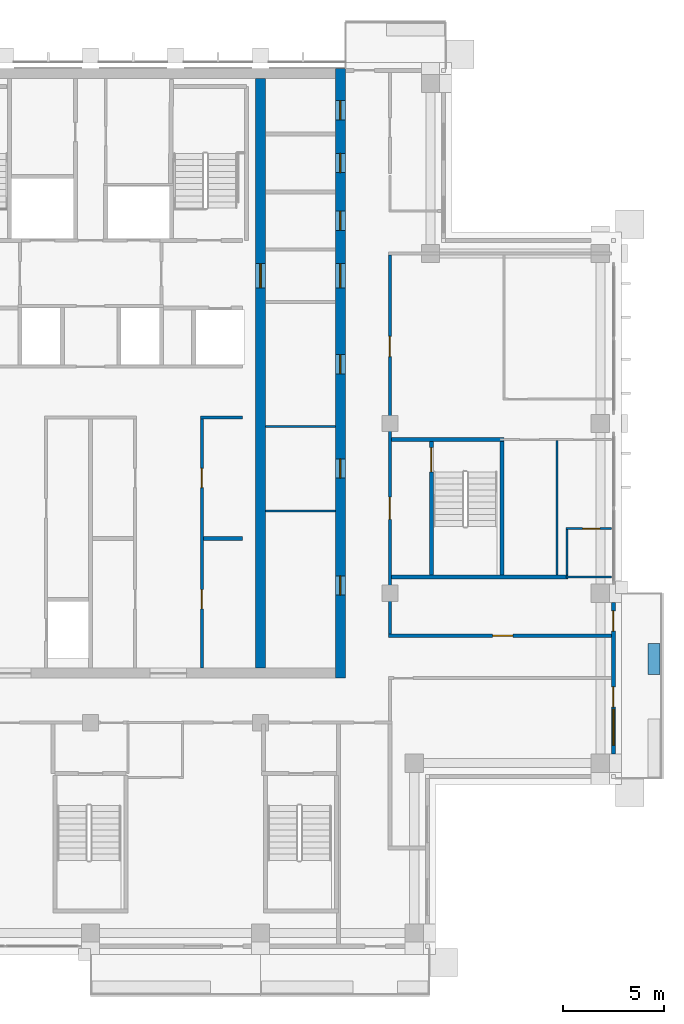
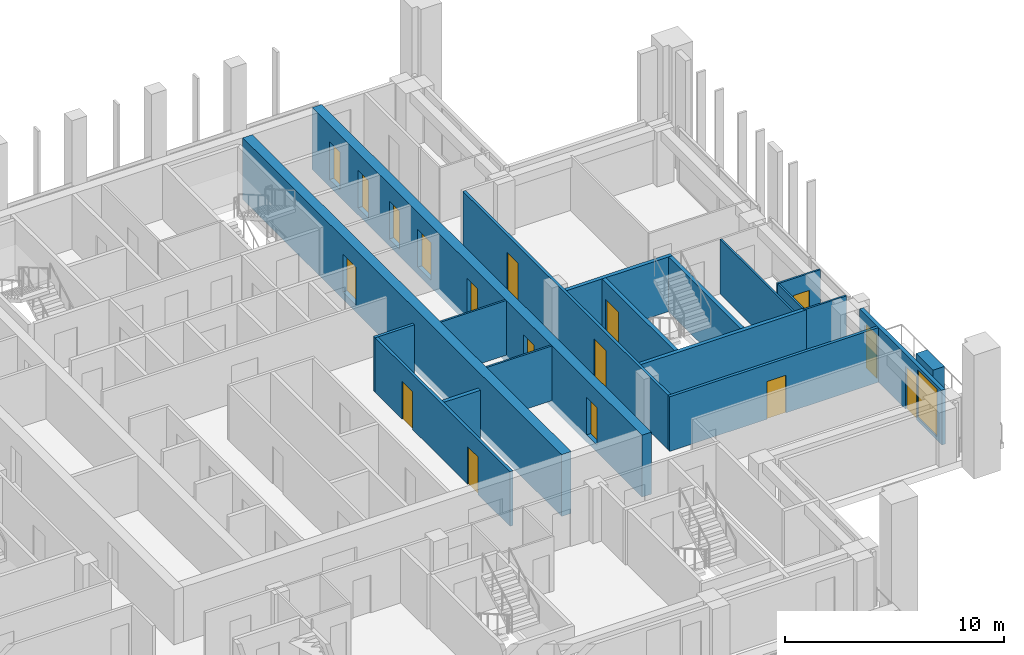
# One storey, part 11 of 18: 19 walls, 17 doors, 1 window, 18 openings.
"""IFC4 building model written with IfcOpenShell, lengths in metres."""

import ifcopenshell
import ifcopenshell.guid

model = None  # the IFC model being written
_history = None  # IfcOwnerHistory: only IFC2X3 demands one
_inside = {}  # id of a spatial element -> (the spatial element, [elements in it])
_under = {}  # id of a project, library or spatial element -> (it, [spatial elements below it])
_declared = {}  # id of a project -> (the project, [libraries it declares])
_typed = {}  # id of a type object -> (the type object, [elements of that type])
_made_of = {}  # id of a material, layer set ... -> (it, [elements and type objects made of it])


def new_model(schema):
    """Start an empty IFC model of exactly this schema.

    Asked for "IFC4X3", IfcOpenShell would pick the latest addendum, in which some entities
    have other attributes; the version numbers below select the first issue.
    IFC2X3 requires an IfcOwnerHistory on every rooted entity: one is made here for all.
    """
    global model, _history
    if schema == "IFC4X3":
        model = ifcopenshell.file(schema_version=(4, 3, 0, 0))
    else:
        model = ifcopenshell.file(schema=schema)
    _inside.clear()
    _under.clear()
    _declared.clear()
    _typed.clear()
    _made_of.clear()
    _history = None
    if model.schema == "IFC2X3":
        org = make("IfcOrganization", Name="unknown")
        user = make(
            "IfcPersonAndOrganization",
            ThePerson=make("IfcPerson", FamilyName="unknown"),
            TheOrganization=org,
        )
        app = make(
            "IfcApplication",
            ApplicationDeveloper=org,
            Version="unknown",
            ApplicationFullName="unknown",
            ApplicationIdentifier="unknown",
        )
        _history = make(
            "IfcOwnerHistory",
            OwningUser=user,
            OwningApplication=app,
            ChangeAction="ADDED",
            CreationDate=0,
        )
    return model


def make(cls, **values):
    """One entity of the class cls with the attributes given. An attribute that is None is left unset."""
    return model.create_entity(
        cls, **{name: value for name, value in values.items() if value is not None}
    )


def rooted(cls, **values):
    """An entity with a GlobalId (a new one), such as an element, a storey or a relation."""
    return make(cls, GlobalId=ifcopenshell.guid.new(), OwnerHistory=_history, **values)


def si_unit(unit_type, name, prefix=None):
    """IfcSIUnit, for example si_unit("LENGTHUNIT", "METRE", prefix="MILLI")."""
    return make("IfcSIUnit", UnitType=unit_type, Prefix=prefix, Name=name)


def assignment(units):
    """IfcUnitAssignment: the units of a project."""
    return None if units is None else make("IfcUnitAssignment", Units=units)


def point(xyz):
    """IfcCartesianPoint."""
    return None if xyz is None else make("IfcCartesianPoint", Coordinates=xyz)


def direction(xyz):
    """IfcDirection."""
    return None if xyz is None else make("IfcDirection", DirectionRatios=xyz)


def frame(location, z_axis=None, x_axis=None):
    """IfcAxis2Placement3D, a coordinate frame: its origin and axes. An axis left out is left unset."""
    return make(
        "IfcAxis2Placement3D",
        Location=point(location),
        Axis=direction(z_axis),
        RefDirection=direction(x_axis),
    )


def frame_2d(location, x_axis=None):
    """IfcAxis2Placement2D, a coordinate frame in the plane: its origin and x axis."""
    return make(
        "IfcAxis2Placement2D", Location=point(location), RefDirection=direction(x_axis)
    )


def origin():
    """The frame at (0, 0, 0) with its axes left unset."""
    return frame((0.0, 0.0, 0.0))


def place(relative_to, where):
    """IfcLocalPlacement: puts the frame where relative to a parent placement (None: the world)."""
    return make(
        "IfcLocalPlacement", PlacementRelTo=relative_to, RelativePlacement=where
    )


def context(
    kind, dimensions, precision=None, world=None, true_north=None, identifier=None
):
    """IfcGeometricRepresentationContext, for example the 3D "Model" context."""
    return make(
        "IfcGeometricRepresentationContext",
        ContextIdentifier=identifier,
        ContextType=kind,
        CoordinateSpaceDimension=dimensions,
        Precision=precision,
        WorldCoordinateSystem=world,
        TrueNorth=true_north,
    )


def subcontext(parent, identifier, kind, view, scale=None):
    """IfcGeometricRepresentationSubContext, for example "Body" below "Model"."""
    return make(
        "IfcGeometricRepresentationSubContext",
        ContextIdentifier=identifier,
        ContextType=kind,
        ParentContext=parent,
        TargetScale=scale,
        TargetView=view,
    )


def project(units=None, contexts=None):
    """IfcProject with its units and contexts."""
    return rooted(
        "IfcProject",
        Name="project",
        RepresentationContexts=contexts,
        UnitsInContext=assignment(units),
    )


def spatial(cls, under=None, at=None, **own):
    """A site, building, storey or space (cls), placed at a placement, below another one or the project."""
    s = rooted(cls, ObjectPlacement=at, **own)
    if under is not None:
        _under.setdefault(under.id(), (under, []))[1].append(s)
    return s


def profile(cls, at=None, kind="AREA", **sizes):
    """A parametric profile (cls). Its sizes go by their IFC names, for example OverallWidth=200.0."""
    return make(cls, ProfileType=kind, Position=at, **sizes)


def rectangle(**sizes):
    """IfcRectangleProfileDef."""
    return profile("IfcRectangleProfileDef", **sizes)


def extrude(swept, where, along, depth):
    """IfcExtrudedAreaSolid: the profile swept, set in the frame where, extruded along a direction by depth."""
    return make(
        "IfcExtrudedAreaSolid",
        SweptArea=swept,
        Position=where,
        ExtrudedDirection=direction(along),
        Depth=depth,
    )


def shape(context_of_items, identifier, shape_type, items):
    """IfcShapeRepresentation: the items that make up one representation, for example the "Body"."""
    return make(
        "IfcShapeRepresentation",
        ContextOfItems=context_of_items,
        RepresentationIdentifier=identifier,
        RepresentationType=shape_type,
        Items=items,
    )


def material(Name=None, Category=None):
    """IfcMaterial."""
    return make("IfcMaterial", Name=Name, Category=Category)


def layer(
    of_material, thickness, ventilated=None, Name=None, Category=None, Priority=None
):
    """IfcMaterialLayer: one layer of a wall or slab, of a material (None: an air gap)."""
    return make(
        "IfcMaterialLayer",
        Material=of_material,
        LayerThickness=thickness,
        IsVentilated=ventilated,
        Name=Name,
        Category=Category,
        Priority=Priority,
    )


def layer_set(layers, Name=None):
    """IfcMaterialLayerSet."""
    return make("IfcMaterialLayerSet", MaterialLayers=layers, LayerSetName=Name)


def made_of(thing, what):
    """Note that an element or type object is made of a material, layer set ...; save() writes the relation."""
    if what is not None:
        _made_of.setdefault(what.id(), (what, []))[1].append(thing)
    return thing


def type_object(cls, material=None, **own):
    """A type object (cls), such as IfcWallType, which elements share."""
    return made_of(rooted(cls, **own), material)


def element(
    cls,
    number,
    at=None,
    inside=None,
    cuts=None,
    type_object=None,
    material=None,
    context=None,
    identifier="Body",
    shape_type=None,
    held_by="IfcProductDefinitionShape",
    body=None,
    shapes=None,
    **own,
):
    """One element of the class cls, such as IfcWall. Its Tag is "e" and its number.

    at: its placement. inside: the storey or other place that contains it. cuts: it is an
    opening in that element (IfcRelVoidsElement). A single representation is given by context,
    identifier, shape_type and body (its items); several are given by shapes. held_by: the class
    of the entity that holds the representations. save() writes the other relations.
    """
    e = rooted(cls, Tag="e%d" % number, ObjectPlacement=at, **own)
    if body is not None:
        shapes = [shape(context, identifier, shape_type, body)]
    if shapes is not None:
        e.Representation = make(held_by, Representations=shapes)
    if inside is not None:
        _inside.setdefault(inside.id(), (inside, []))[1].append(e)
    if cuts is not None:
        rooted(
            "IfcRelVoidsElement", RelatingBuildingElement=cuts, RelatedOpeningElement=e
        )
    if type_object is not None:
        _typed.setdefault(type_object.id(), (type_object, []))[1].append(e)
    return made_of(e, material)


def fill(opening, filler):
    """IfcRelFillsElement: the door or window that sits in an opening."""
    return rooted(
        "IfcRelFillsElement",
        RelatingOpeningElement=opening,
        RelatedBuildingElement=filler,
    )


def aggregate(whole, parts):
    """IfcRelAggregates: a whole, such as a stair, and the parts it consists of."""
    return rooted("IfcRelAggregates", RelatingObject=whole, RelatedObjects=parts)


def save(model, path):
    """Write the relations noted so far, then the file.

    IfcRelAggregates (storeys below a building ...), IfcRelContainedInSpatialStructure (elements
    in a storey), IfcRelDefinesByType, IfcRelAssociatesMaterial and IfcRelDeclares: one each for
    every whole, place, type object, material and project.
    """
    for whole, parts in _under.values():
        aggregate(whole, parts)
    for where, things in _inside.values():
        rooted(
            "IfcRelContainedInSpatialStructure",
            RelatedElements=things,
            RelatingStructure=where,
        )
    for kind, things in _typed.values():
        rooted("IfcRelDefinesByType", RelatedObjects=things, RelatingType=kind)
    for what, things in _made_of.values():
        rooted("IfcRelAssociatesMaterial", RelatedObjects=things, RelatingMaterial=what)
    for by, libraries in _declared.values():
        rooted("IfcRelDeclares", RelatingContext=by, RelatedDefinitions=libraries)
    model.write(path)


model = new_model("IFC4")

# Units and contexts
model_context = context("Model", 3, precision=1e-05, world=origin(), true_north=direction((0.0, 1.0)))
body_context = subcontext(model_context, "Body", "Model", "MODEL_VIEW")
ifc_project = project(units=[si_unit("LENGTHUNIT", "METRE"), si_unit("AREAUNIT", "SQUARE_METRE"), si_unit("VOLUMEUNIT", "CUBIC_METRE"), si_unit("PLANEANGLEUNIT", "RADIAN"), si_unit("MASSUNIT", "GRAM", prefix="KILO")], contexts=[model_context])

# Site, building, storey
site_placement = place(None, origin())
site = spatial("IfcSite", under=ifc_project, at=site_placement, CompositionType="ELEMENT")
building_placement = place(site_placement, origin())
building = spatial("IfcBuilding", under=site, at=building_placement, Name="Vermilion Ogive Tower", CompositionType="ELEMENT")
storey_placement = place(building_placement, frame((0.0, 0.0, 254.5)))
storey = spatial("IfcBuildingStorey", under=building, at=storey_placement, Name="L67", CompositionType="ELEMENT", Elevation=254.5)

# Wall, openings, doors
ifc_material_1 = material(Name="Concrete B60", Category="concrete")
ifc_layer_1 = layer(ifc_material_1, 0.5)
ifc_layer_set_1 = layer_set([ifc_layer_1], Name="Core wall 500 B60")
wall_type_1 = type_object("IfcWallType", Name="Core wall 500 B60", PredefinedType="SHEAR", material=ifc_layer_set_1)
wall_1_placement = place(storey_placement, frame((12.35009765625, -8.39990234375, -0.39990234375), z_axis=(0.0, 0.0, 1.0), x_axis=(0.0, 1.0, 0.0)))
wall_1 = element("IfcWall", 1, at=wall_1_placement, inside=storey, type_object=wall_type_1, Name="L67-CORE-E", PredefinedType="SHEAR", context=body_context, shape_type="SweptSolid", body=[
    extrude(rectangle(XDim=30.14990234375, YDim=0.5, at=frame_2d((15.074951171875, 0.0))), origin(), (0.0, 0.0, 1.0), 3.449951171875),
])
opening_1_placement = place(wall_1_placement, frame((4.112548828125, 0.0, 0.39990234375)))
opening_1 = element("IfcOpeningElement", 2, at=opening_1_placement, cuts=wall_1, Name="Opening DAC122", PredefinedType="OPENING", context=body_context, shape_type="SweptSolid", body=[
    extrude(rectangle(XDim=0.949951171875, YDim=2.10009765625, at=frame_2d((0.47509765625, 1.050048828125))), frame((0.0, 0.260009765625, 0.0), z_axis=(0.0, -1.0, 0.0), x_axis=(1.0, 0.0, 0.0)), (0.0, 0.0, 1.0), 0.52001953125),
])
opening_2_placement = place(wall_1_placement, frame((9.8896484375, 0.0, 0.39990234375)))
opening_2 = element("IfcOpeningElement", 3, at=opening_2_placement, cuts=wall_1, Name="Opening DAC123", PredefinedType="OPENING", context=body_context, shape_type="SweptSolid", body=[
    extrude(rectangle(XDim=0.949951171875, YDim=2.10009765625, at=frame_2d((0.47509765625, 1.050048828125))), frame((0.0, 0.260009765625, 0.0), z_axis=(0.0, -1.0, 0.0), x_axis=(1.0, 0.0, 0.0)), (0.0, 0.0, 1.0), 0.52001953125),
])
opening_3_placement = place(wall_1_placement, frame((15.052001953125, 0.0, 0.39990234375)))
opening_3 = element("IfcOpeningElement", 4, at=opening_3_placement, cuts=wall_1, Name="Opening DAC124", PredefinedType="OPENING", context=body_context, shape_type="SweptSolid", body=[
    extrude(rectangle(XDim=0.949951171875, YDim=2.10009765625, at=frame_2d((0.47509765625, 1.050048828125))), frame((0.0, 0.260009765625, 0.0), z_axis=(0.0, -1.0, 0.0), x_axis=(1.0, 0.0, 0.0)), (0.0, 0.0, 1.0), 0.52001953125),
])
opening_4_placement = place(wall_1_placement, frame((22.1435546875, 0.0, 0.39990234375)))
opening_4 = element("IfcOpeningElement", 5, at=opening_4_placement, cuts=wall_1, Name="Opening DAC125", PredefinedType="OPENING", context=body_context, shape_type="SweptSolid", body=[
    extrude(rectangle(XDim=0.949951171875, YDim=2.10009765625, at=frame_2d((0.47509765625, 1.050048828125))), frame((0.0, 0.260009765625, 0.0), z_axis=(0.0, -1.0, 0.0), x_axis=(1.0, 0.0, 0.0)), (0.0, 0.0, 1.0), 0.52001953125),
])
opening_5_placement = place(wall_1_placement, frame((24.998291015625, 0.0, 0.39990234375)))
opening_5 = element("IfcOpeningElement", 6, at=opening_5_placement, cuts=wall_1, Name="Opening DAC126", PredefinedType="OPENING", context=body_context, shape_type="SweptSolid", body=[
    extrude(rectangle(XDim=0.949951171875, YDim=2.10009765625, at=frame_2d((0.47509765625, 1.050048828125))), frame((0.0, 0.260009765625, 0.0), z_axis=(0.0, -1.0, 0.0), x_axis=(1.0, 0.0, 0.0)), (0.0, 0.0, 1.0), 0.52001953125),
])
opening_6_placement = place(wall_1_placement, frame((27.604736328125, 0.0, 0.39990234375)))
opening_6 = element("IfcOpeningElement", 7, at=opening_6_placement, cuts=wall_1, Name="Opening DAC127", PredefinedType="OPENING", context=body_context, shape_type="SweptSolid", body=[
    extrude(rectangle(XDim=0.949951171875, YDim=2.10009765625, at=frame_2d((0.47509765625, 1.050048828125))), frame((0.0, 0.260009765625, 0.0), z_axis=(0.0, -1.0, 0.0), x_axis=(1.0, 0.0, 0.0)), (0.0, 0.0, 1.0), 0.52001953125),
])
opening_7_placement = place(wall_1_placement, frame((19.300048828125, 0.0, 0.39990234375)))
opening_7 = element("IfcOpeningElement", 8, at=opening_7_placement, cuts=wall_1, Name="Opening DAL028", PredefinedType="OPENING", context=body_context, shape_type="SweptSolid", body=[
    extrude(rectangle(XDim=1.199951171875, YDim=2.10009765625, at=frame_2d((0.60009765625, 1.050048828125))), frame((0.0, 0.260009765625, 0.0), z_axis=(0.0, -1.0, 0.0), x_axis=(1.0, 0.0, 0.0)), (0.0, 0.0, 1.0), 0.52001953125),
])
ifc_material_2 = material(Name="Timber door leaf", Category="wood")
door_type_1 = type_object("IfcDoorType", Name="Link door 1200 x 2100 FD60S", OperationType="SINGLE_SWING_LEFT", PredefinedType="DOOR", material=ifc_material_2)
door_1_placement = place(opening_7_placement, origin())
door_1 = element("IfcDoor", 9, at=door_1_placement, inside=storey, type_object=door_type_1, Name="L67-CKE-XL", OperationType="SINGLE_SWING_LEFT", OverallHeight=2.10009765625, OverallWidth=1.199951171875, PredefinedType="DOOR", context=body_context, shape_type="SweptSolid", body=[
    extrude(rectangle(XDim=1.199951171875, YDim=2.10009765625, at=frame_2d((0.60009765625, 1.050048828125))), frame((0.0, 0.02490234375, 0.0), z_axis=(0.0, -1.0, 0.0), x_axis=(1.0, 0.0, 0.0)), (0.0, 0.0, 1.0), 0.050048828125),
])
fill(opening_7, door_1)
ifc_material_3 = material(Name="Timber door leaf", Category="wood")
door_type_2 = type_object("IfcDoorType", Name="Service door 950 x 2100 FD60", OperationType="SINGLE_SWING_LEFT", PredefinedType="DOOR", material=ifc_material_3)
door_2_placement = place(opening_1_placement, origin())
door_2 = element("IfcDoor", 10, at=door_2_placement, inside=storey, type_object=door_type_2, Name="L67-CKE-XR0", OperationType="SINGLE_SWING_LEFT", OverallHeight=2.10009765625, OverallWidth=0.949951171875, PredefinedType="DOOR", context=body_context, shape_type="SweptSolid", body=[
    extrude(rectangle(XDim=0.949951171875, YDim=2.10009765625, at=frame_2d((0.47509765625, 1.050048828125))), frame((0.0, 0.02490234375, 0.0), z_axis=(0.0, -1.0, 0.0), x_axis=(1.0, 0.0, 0.0)), (0.0, 0.0, 1.0), 0.050048828125),
])
fill(opening_1, door_2)
door_3_placement = place(opening_2_placement, origin())
door_3 = element("IfcDoor", 11, at=door_3_placement, inside=storey, type_object=door_type_2, Name="L67-CKE-XR1", OperationType="SINGLE_SWING_LEFT", OverallHeight=2.10009765625, OverallWidth=0.949951171875, PredefinedType="DOOR", context=body_context, shape_type="SweptSolid", body=[
    extrude(rectangle(XDim=0.949951171875, YDim=2.10009765625, at=frame_2d((0.47509765625, 1.050048828125))), frame((0.0, 0.02490234375, 0.0), z_axis=(0.0, -1.0, 0.0), x_axis=(1.0, 0.0, 0.0)), (0.0, 0.0, 1.0), 0.050048828125),
])
fill(opening_2, door_3)
door_4_placement = place(opening_3_placement, origin())
door_4 = element("IfcDoor", 12, at=door_4_placement, inside=storey, type_object=door_type_2, Name="L67-CKE-XR2", OperationType="SINGLE_SWING_LEFT", OverallHeight=2.10009765625, OverallWidth=0.949951171875, PredefinedType="DOOR", context=body_context, shape_type="SweptSolid", body=[
    extrude(rectangle(XDim=0.949951171875, YDim=2.10009765625, at=frame_2d((0.47509765625, 1.050048828125))), frame((0.0, 0.02490234375, 0.0), z_axis=(0.0, -1.0, 0.0), x_axis=(1.0, 0.0, 0.0)), (0.0, 0.0, 1.0), 0.050048828125),
])
fill(opening_3, door_4)
door_5_placement = place(opening_4_placement, origin())
door_5 = element("IfcDoor", 13, at=door_5_placement, inside=storey, type_object=door_type_2, Name="L67-CKE-XR3", OperationType="SINGLE_SWING_LEFT", OverallHeight=2.10009765625, OverallWidth=0.949951171875, PredefinedType="DOOR", context=body_context, shape_type="SweptSolid", body=[
    extrude(rectangle(XDim=0.949951171875, YDim=2.10009765625, at=frame_2d((0.47509765625, 1.050048828125))), frame((0.0, 0.02490234375, 0.0), z_axis=(0.0, -1.0, 0.0), x_axis=(1.0, 0.0, 0.0)), (0.0, 0.0, 1.0), 0.050048828125),
])
fill(opening_4, door_5)
door_6_placement = place(opening_5_placement, origin())
door_6 = element("IfcDoor", 14, at=door_6_placement, inside=storey, type_object=door_type_2, Name="L67-CKE-XR4", OperationType="SINGLE_SWING_LEFT", OverallHeight=2.10009765625, OverallWidth=0.949951171875, PredefinedType="DOOR", context=body_context, shape_type="SweptSolid", body=[
    extrude(rectangle(XDim=0.949951171875, YDim=2.10009765625, at=frame_2d((0.47509765625, 1.050048828125))), frame((0.0, 0.02490234375, 0.0), z_axis=(0.0, -1.0, 0.0), x_axis=(1.0, 0.0, 0.0)), (0.0, 0.0, 1.0), 0.050048828125),
])
fill(opening_5, door_6)
door_7_placement = place(opening_6_placement, origin())
door_7 = element("IfcDoor", 15, at=door_7_placement, inside=storey, type_object=door_type_2, Name="L67-CKE-XR5", OperationType="SINGLE_SWING_LEFT", OverallHeight=2.10009765625, OverallWidth=0.949951171875, PredefinedType="DOOR", context=body_context, shape_type="SweptSolid", body=[
    extrude(rectangle(XDim=0.949951171875, YDim=2.10009765625, at=frame_2d((0.47509765625, 1.050048828125))), frame((0.0, 0.02490234375, 0.0), z_axis=(0.0, -1.0, 0.0), x_axis=(1.0, 0.0, 0.0)), (0.0, 0.0, 1.0), 0.050048828125),
])
fill(opening_6, door_7)

# Wall, opening, door
wall_2_placement = place(storey_placement, frame((8.39990234375, -7.89990234375, -0.39990234375), z_axis=(0.0, 0.0, 1.0), x_axis=(0.0, 1.0, 0.0)))
wall_2 = element("IfcWall", 16, at=wall_2_placement, inside=storey, type_object=wall_type_1, Name="L67-CORE-WEB2", PredefinedType="SHEAR", context=body_context, shape_type="SweptSolid", body=[
    extrude(rectangle(XDim=29.14990234375, YDim=0.5, at=frame_2d((14.574951171875, 0.0))), origin(), (0.0, 0.0, 1.0), 3.449951171875),
])
opening_8_placement = place(wall_2_placement, frame((18.800048828125, 0.0, 0.39990234375)))
opening_8 = element("IfcOpeningElement", 17, at=opening_8_placement, cuts=wall_2, Name="Opening DAO023", PredefinedType="OPENING", context=body_context, shape_type="SweptSolid", body=[
    extrude(rectangle(XDim=1.199951171875, YDim=2.10009765625, at=frame_2d((0.60009765625, 1.050048828125))), frame((0.0, 0.260009765625, 0.0), z_axis=(0.0, -1.0, 0.0), x_axis=(1.0, 0.0, 0.0)), (0.0, 0.0, 1.0), 0.52001953125),
])
door_8_placement = place(opening_8_placement, origin())
door_8 = element("IfcDoor", 18, at=door_8_placement, inside=storey, type_object=door_type_1, Name="L67-CKE-XW", OperationType="SINGLE_SWING_LEFT", OverallHeight=2.10009765625, OverallWidth=1.199951171875, PredefinedType="DOOR", context=body_context, shape_type="SweptSolid", body=[
    extrude(rectangle(XDim=1.199951171875, YDim=2.10009765625, at=frame_2d((0.60009765625, 1.050048828125))), frame((0.0, 0.02490234375, 0.0), z_axis=(0.0, -1.0, 0.0), x_axis=(1.0, 0.0, 0.0)), (0.0, 0.0, 1.0), 0.050048828125),
])
fill(opening_8, door_8)

# Wall
ifc_material_4 = material(Name="Gypsum board partition on steel studs", Category="steel")
ifc_layer_2 = layer(ifc_material_4, 0.10009765625)
ifc_layer_set_2 = layer_set([ifc_layer_2], Name="Partition 100 bath")
wall_type_2 = type_object("IfcWallType", Name="Partition 100 bath", PredefinedType="PARTITIONING", material=ifc_layer_set_2)
wall_3_placement = place(storey_placement, frame((23.5, -3.39990234375, 0.0), z_axis=(0.0, 0.0, 1.0), x_axis=(1.0, 0.0, 0.0)))
element("IfcWall", 19, at=wall_3_placement, inside=storey, type_object=wall_type_2, Name="L67-W-W021", PredefinedType="PARTITIONING", context=body_context, shape_type="SweptSolid", body=[
    extrude(rectangle(XDim=2.25, YDim=0.10009765625, at=frame_2d((1.125, 0.0))), origin(), (0.0, 0.0, 1.0), 3.050048828125),
])

# Wall, opening, door
wall_4_placement = place(storey_placement, frame((23.5, -1.0, 0.0), z_axis=(0.0, 0.0, 1.0), x_axis=(1.0, 0.0, 0.0)))
wall_4 = element("IfcWall", 20, at=wall_4_placement, inside=storey, type_object=wall_type_2, Name="L67-W-W022", PredefinedType="PARTITIONING", context=body_context, shape_type="SweptSolid", body=[
    extrude(rectangle(XDim=2.25, YDim=0.10009765625, at=frame_2d((1.125, 0.0))), origin(), (0.0, 0.0, 1.0), 3.050048828125),
])
opening_9_placement = place(wall_4_placement, frame((0.824951171875, 0.0, 0.0)))
opening_9 = element("IfcOpeningElement", 21, at=opening_9_placement, cuts=wall_4, Name="Opening D5G5018", PredefinedType="OPENING", context=body_context, shape_type="SweptSolid", body=[
    extrude(rectangle(XDim=0.85009765625, YDim=2.10009765625, at=frame_2d((0.425048828125, 1.050048828125))), frame((0.0, 0.06005859375, 0.0), z_axis=(0.0, -1.0, 0.0), x_axis=(1.0, 0.0, 0.0)), (0.0, 0.0, 1.0), 0.1201171875),
])
ifc_material_5 = material(Name="Timber door leaf", Category="wood")
door_type_3 = type_object("IfcDoorType", Name="Bath door 850 x 2100 FD30", OperationType="SINGLE_SWING_LEFT", PredefinedType="DOOR", material=ifc_material_5)
door_9_placement = place(opening_9_placement, origin())
door_9 = element("IfcDoor", 22, at=door_9_placement, inside=storey, type_object=door_type_3, Name="L67-D-D018", OperationType="SINGLE_SWING_RIGHT", OverallHeight=2.10009765625, OverallWidth=0.85009765625, PredefinedType="DOOR", context=body_context, shape_type="SweptSolid", body=[
    extrude(rectangle(XDim=0.85009765625, YDim=2.10009765625, at=frame_2d((0.425048828125, 1.050048828125))), frame((0.0, 0.02490234375, 0.0), z_axis=(0.0, -1.0, 0.0), x_axis=(1.0, 0.0, 0.0)), (0.0, 0.0, 1.0), 0.050048828125),
])
fill(opening_9, door_9)

# Walls
wall_5_placement = place(storey_placement, frame((23.550048828125, -3.300048828125, 0.0), z_axis=(0.0, 0.0, 1.0), x_axis=(0.0, 1.0, 0.0)))
element("IfcWall", 23, at=wall_5_placement, inside=storey, type_object=wall_type_2, Name="L67-W-W067", PredefinedType="PARTITIONING", context=body_context, shape_type="SweptSolid", body=[
    extrude(rectangle(XDim=2.25, YDim=0.10009765625, at=frame_2d((1.125, 0.0))), origin(), (0.0, 0.0, 1.0), 3.050048828125),
])
for number, where, z_axis, x_axis, name in (
    (24, (8.65087890625, -0.125, 0.0), (0.0, 0.0, 1.0), (1.0, 0.0, 0.0), "L67-CKE-W-W001"),
    (25, (8.65087890625, 4.053955078125, 0.0), (0.0, 0.0, 1.0), (1.0, 0.0, 0.0), "L67-CKE-W-W002"),
):
    element("IfcWall", number, at=place(storey_placement, frame(where, z_axis=z_axis, x_axis=x_axis)), inside=storey, type_object=wall_type_2, Name=name, PredefinedType="PARTITIONING", context=body_context, shape_type="SweptSolid", body=[
        extrude(rectangle(XDim=3.4482421875, YDim=0.10009765625, at=frame_2d((1.72412109375, 0.0))), origin(), (0.0, 0.0, 1.0), 3.050048828125),
    ])
ifc_material_6 = material(Name="Gypsum board partition on steel studs", Category="steel")
ifc_layer_3 = layer(ifc_material_6, 0.10009765625)
ifc_layer_set_3 = layer_set([ifc_layer_3], Name="Partition 100 inner")
wall_type_3 = type_object("IfcWallType", Name="Partition 100 inner", PredefinedType="PARTITIONING", material=ifc_layer_set_3)
wall_6_placement = place(storey_placement, frame((23.050048828125, -3.300048828125, 0.0), z_axis=(0.0, 0.0, 1.0), x_axis=(0.0, 1.0, 0.0)))
element("IfcWall", 26, at=wall_6_placement, inside=storey, type_object=wall_type_3, Name="L67-W-W066", PredefinedType="PARTITIONING", context=body_context, shape_type="SweptSolid", body=[
    extrude(rectangle(XDim=6.650146484375, YDim=0.10009765625, at=frame_2d((3.3251953125, 0.0))), origin(), (0.0, 0.0, 1.0), 3.050048828125),
])

# Wall, opening, door
ifc_material_7 = material(Name="Gypsum board partition on steel studs", Category="steel")
ifc_layer_4 = layer(ifc_material_7, 0.14990234375)
ifc_layer_set_4 = layer_set([ifc_layer_4], Name="Partition 150 corridor")
wall_type_4 = type_object("IfcWallType", Name="Partition 150 corridor", PredefinedType="PARTITIONING", material=ifc_layer_set_4)
wall_7_placement = place(storey_placement, frame((14.72509765625, -6.300048828125, 0.0), z_axis=(0.0, 0.0, 1.0), x_axis=(1.0, 0.0, 0.0)))
wall_7 = element("IfcWall", 27, at=wall_7_placement, inside=storey, type_object=wall_type_4, Name="L67-W-W017", PredefinedType="PARTITIONING", context=body_context, shape_type="SweptSolid", body=[
    extrude(rectangle(XDim=11.02490234375, YDim=0.14990234375, at=frame_2d((5.512451171875, 0.0))), origin(), (0.0, 0.0, 1.0), 3.050048828125),
])
opening_10_placement = place(wall_7_placement, frame((5.14990234375, 0.0, 0.0)))
opening_10 = element("IfcOpeningElement", 28, at=opening_10_placement, cuts=wall_7, Name="Opening D5G5033", PredefinedType="OPENING", context=body_context, shape_type="SweptSolid", body=[
    extrude(rectangle(XDim=1.0, YDim=2.10009765625, at=frame_2d((0.5, 1.050048828125))), frame((0.0, 0.0849609375, 0.0), z_axis=(0.0, -1.0, 0.0), x_axis=(1.0, 0.0, 0.0)), (0.0, 0.0, 1.0), 0.169921875),
])
ifc_material_8 = material(Name="Timber door leaf", Category="wood")
door_type_4 = type_object("IfcDoorType", Name="Unit door 1000 x 2100 FD30S", OperationType="SINGLE_SWING_LEFT", PredefinedType="DOOR", material=ifc_material_8)
door_10_placement = place(opening_10_placement, origin())
door_10 = element("IfcDoor", 29, at=door_10_placement, inside=storey, type_object=door_type_4, Name="L67-D-D033", OperationType="SINGLE_SWING_RIGHT", OverallHeight=2.10009765625, OverallWidth=1.0, PredefinedType="DOOR", context=body_context, shape_type="SweptSolid", body=[
    extrude(rectangle(XDim=1.0, YDim=2.10009765625, at=frame_2d((0.5, 1.050048828125))), frame((0.0, 0.02490234375, 0.0), z_axis=(0.0, -1.0, 0.0), x_axis=(1.0, 0.0, 0.0)), (0.0, 0.0, 1.0), 0.050048828125),
])
fill(opening_10, door_10)

# Wall, openings, doors
wall_8_placement = place(storey_placement, frame((14.800048828125, -6.22509765625, 0.0), z_axis=(0.0, 0.0, 1.0), x_axis=(0.0, 1.0, 0.0)))
wall_8 = element("IfcWall", 30, at=wall_8_placement, inside=storey, type_object=wall_type_4, Name="L67-W-W059", PredefinedType="PARTITIONING", context=body_context, shape_type="SweptSolid", body=[
    extrude(rectangle(XDim=18.75, YDim=0.14990234375, at=frame_2d((9.375, 0.0))), origin(), (0.0, 0.0, 1.0), 3.050048828125),
])
opening_11_placement = place(wall_8_placement, frame((13.72509765625, 0.0, 0.0)))
opening_11 = element("IfcOpeningElement", 31, at=opening_11_placement, cuts=wall_8, Name="Opening D5G5016", PredefinedType="OPENING", context=body_context, shape_type="SweptSolid", body=[
    extrude(rectangle(XDim=1.0, YDim=2.10009765625, at=frame_2d((0.5, 1.050048828125))), frame((0.0, 0.0849609375, 0.0), z_axis=(0.0, -1.0, 0.0), x_axis=(1.0, 0.0, 0.0)), (0.0, 0.0, 1.0), 0.169921875),
])
opening_12_placement = place(wall_8_placement, frame((5.675048828125, 0.0, 0.0)))
opening_12 = element("IfcOpeningElement", 32, at=opening_12_placement, cuts=wall_8, Name="Opening D5G5027", PredefinedType="OPENING", context=body_context, shape_type="SweptSolid", body=[
    extrude(rectangle(XDim=1.10009765625, YDim=2.10009765625, at=frame_2d((0.550048828125, 1.050048828125))), frame((0.0, 0.0849609375, 0.0), z_axis=(0.0, -1.0, 0.0), x_axis=(1.0, 0.0, 0.0)), (0.0, 0.0, 1.0), 0.169921875),
])
ifc_material_9 = material(Name="Timber door leaf", Category="wood")
door_type_5 = type_object("IfcDoorType", Name="Stair door 1100 x 2100 FD60S", OperationType="SINGLE_SWING_LEFT", PredefinedType="DOOR", material=ifc_material_9)
door_11_placement = place(opening_12_placement, origin())
door_11 = element("IfcDoor", 33, at=door_11_placement, inside=storey, type_object=door_type_5, Name="L67-D-D027", OperationType="SINGLE_SWING_LEFT", OverallHeight=2.10009765625, OverallWidth=1.10009765625, PredefinedType="DOOR", context=body_context, shape_type="SweptSolid", body=[
    extrude(rectangle(XDim=1.10009765625, YDim=2.10009765625, at=frame_2d((0.550048828125, 1.050048828125))), frame((0.0, 0.02490234375, 0.0), z_axis=(0.0, -1.0, 0.0), x_axis=(1.0, 0.0, 0.0)), (0.0, 0.0, 1.0), 0.050048828125),
])
fill(opening_12, door_11)
door_12_placement = place(opening_11_placement, origin())
door_12 = element("IfcDoor", 34, at=door_12_placement, inside=storey, type_object=door_type_4, Name="L67-D-D016", OperationType="SINGLE_SWING_RIGHT", OverallHeight=2.10009765625, OverallWidth=1.0, PredefinedType="DOOR", context=body_context, shape_type="SweptSolid", body=[
    extrude(rectangle(XDim=1.0, YDim=2.10009765625, at=frame_2d((0.5, 1.050048828125))), frame((0.0, 0.02490234375, 0.0), z_axis=(0.0, -1.0, 0.0), x_axis=(1.0, 0.0, 0.0)), (0.0, 0.0, 1.0), 0.050048828125),
])
fill(opening_11, door_12)

# Wall
wall_9_placement = place(storey_placement, frame((5.425048828125, 4.5, 0.0), z_axis=(0.0, 0.0, 1.0), x_axis=(1.0, 0.0, 0.0)))
element("IfcWall", 35, at=wall_9_placement, inside=storey, type_object=wall_type_4, Name="L67-CK-W-W009", PredefinedType="PARTITIONING", context=body_context, shape_type="SweptSolid", body=[
    extrude(rectangle(XDim=2.074951171875, YDim=0.14990234375, at=frame_2d((1.03759765625, 0.0))), origin(), (0.0, 0.0, 1.0), 3.050048828125),
])

# Wall, openings, doors
wall_10_placement = place(storey_placement, frame((5.5, -7.89892578125, 0.0), z_axis=(0.0, 0.0, 1.0), x_axis=(0.0, 1.0, 0.0)))
wall_10 = element("IfcWall", 36, at=wall_10_placement, inside=storey, type_object=wall_type_4, Name="L67-CK-W-W037", PredefinedType="PARTITIONING", context=body_context, shape_type="SweptSolid", body=[
    extrude(rectangle(XDim=12.323974609375, YDim=0.14990234375, at=frame_2d((6.162109375, 0.0))), origin(), (0.0, 0.0, 1.0), 3.050048828125),
])
opening_13_placement = place(wall_10_placement, frame((2.923828125, 0.0, 0.0)))
opening_13 = element("IfcOpeningElement", 37, at=opening_13_placement, cuts=wall_10, Name="Opening DAA641", PredefinedType="OPENING", context=body_context, shape_type="SweptSolid", body=[
    extrude(rectangle(XDim=0.949951171875, YDim=2.10009765625, at=frame_2d((0.47509765625, 1.050048828125))), frame((0.0, 0.0849609375, 0.0), z_axis=(0.0, -1.0, 0.0), x_axis=(1.0, 0.0, 0.0)), (0.0, 0.0, 1.0), 0.169921875),
])
opening_14_placement = place(wall_10_placement, frame((8.923828125, 0.0, 0.0)))
opening_14 = element("IfcOpeningElement", 38, at=opening_14_placement, cuts=wall_10, Name="Opening DAA642", PredefinedType="OPENING", context=body_context, shape_type="SweptSolid", body=[
    extrude(rectangle(XDim=0.949951171875, YDim=2.10009765625, at=frame_2d((0.47509765625, 1.050048828125))), frame((0.0, 0.0849609375, 0.0), z_axis=(0.0, -1.0, 0.0), x_axis=(1.0, 0.0, 0.0)), (0.0, 0.0, 1.0), 0.169921875),
])
door_13_placement = place(opening_13_placement, origin())
door_13 = element("IfcDoor", 39, at=door_13_placement, inside=storey, type_object=door_type_2, Name="L67-CK-D-D009", OperationType="SINGLE_SWING_LEFT", OverallHeight=2.10009765625, OverallWidth=0.949951171875, PredefinedType="DOOR", context=body_context, shape_type="SweptSolid", body=[
    extrude(rectangle(XDim=0.949951171875, YDim=2.10009765625, at=frame_2d((0.47509765625, 1.050048828125))), frame((0.0, 0.02490234375, 0.0), z_axis=(0.0, -1.0, 0.0), x_axis=(1.0, 0.0, 0.0)), (0.0, 0.0, 1.0), 0.050048828125),
])
fill(opening_13, door_13)
door_14_placement = place(opening_14_placement, origin())
door_14 = element("IfcDoor", 40, at=door_14_placement, inside=storey, type_object=door_type_2, Name="L67-CK-D-D010", OperationType="SINGLE_SWING_LEFT", OverallHeight=2.10009765625, OverallWidth=0.949951171875, PredefinedType="DOOR", context=body_context, shape_type="SweptSolid", body=[
    extrude(rectangle(XDim=0.949951171875, YDim=2.10009765625, at=frame_2d((0.47509765625, 1.050048828125))), frame((0.0, 0.02490234375, 0.0), z_axis=(0.0, -1.0, 0.0), x_axis=(1.0, 0.0, 0.0)), (0.0, 0.0, 1.0), 0.050048828125),
])
fill(opening_14, door_14)

# Walls
ifc_material_10 = material(Name="Gypsum board partition on steel studs", Category="steel")
ifc_layer_5 = layer(ifc_material_10, 0.199951171875)
ifc_layer_set_5 = layer_set([ifc_layer_5], Name="Partition 200 party")
wall_type_5 = type_object("IfcWallType", Name="Partition 200 party", PredefinedType="PARTITIONING", material=ifc_layer_set_5)
wall_11_placement = place(storey_placement, frame((5.574951171875, -1.5, 0.0), z_axis=(0.0, 0.0, 1.0), x_axis=(1.0, 0.0, 0.0)))
element("IfcWall", 41, at=wall_11_placement, inside=storey, type_object=wall_type_5, Name="L67-CK-W-W005", PredefinedType="PARTITIONING", context=body_context, shape_type="SweptSolid", body=[
    extrude(rectangle(XDim=1.925048828125, YDim=0.199951171875, at=frame_2d((0.96240234375, 0.0))), origin(), (0.0, 0.0, 1.0), 3.050048828125),
])
ifc_material_11 = material(Name="Concrete B60", Category="concrete")
ifc_layer_6 = layer(ifc_material_11, 0.199951171875)
ifc_layer_set_6 = layer_set([ifc_layer_6], Name="Stair shaft wall 200 Concrete B60")
wall_type_6 = type_object("IfcWallType", Name="Stair shaft wall 200 Concrete B60", PredefinedType="SOLIDWALL", material=ifc_layer_set_6)
wall_12_placement = place(storey_placement, frame((14.875, -3.39990234375, 0.0), z_axis=(0.0, 0.0, 1.0), x_axis=(1.0, 0.0, 0.0)))
element("IfcWall", 42, at=wall_12_placement, inside=storey, type_object=wall_type_6, Name="L67-W-W020", PredefinedType="SOLIDWALL", context=body_context, shape_type="SweptSolid", body=[
    extrude(rectangle(XDim=8.72509765625, YDim=0.199951171875, at=frame_2d((4.362548828125, 0.0))), origin(), (0.0, 0.0, 1.0), 3.050048828125),
])
wall_13_placement = place(storey_placement, frame((14.875, 3.39990234375, 0.0), z_axis=(0.0, 0.0, 1.0), x_axis=(1.0, 0.0, 0.0)))
element("IfcWall", 43, at=wall_13_placement, inside=storey, type_object=wall_type_6, Name="L67-W-W026", PredefinedType="SOLIDWALL", context=body_context, shape_type="SweptSolid", body=[
    extrude(rectangle(XDim=5.574951171875, YDim=0.199951171875, at=frame_2d((2.78759765625, 0.0))), origin(), (0.0, 0.0, 1.0), 3.050048828125),
])

# Wall, opening, door
wall_14_placement = place(storey_placement, frame((16.85009765625, -3.300048828125, 0.0), z_axis=(0.0, 0.0, 1.0), x_axis=(0.0, 1.0, 0.0)))
wall_14 = element("IfcWall", 44, at=wall_14_placement, inside=storey, type_object=wall_type_6, Name="L67-W-W062", PredefinedType="SOLIDWALL", context=body_context, shape_type="SweptSolid", body=[
    extrude(rectangle(XDim=6.60009765625, YDim=0.199951171875, at=frame_2d((3.300048828125, 0.0))), origin(), (0.0, 0.0, 1.0), 3.050048828125),
])
opening_15_placement = place(wall_14_placement, frame((5.10009765625, 0.0, 0.0)))
opening_15 = element("IfcOpeningElement", 45, at=opening_15_placement, cuts=wall_14, Name="Opening D5G5028", PredefinedType="OPENING", context=body_context, shape_type="SweptSolid", body=[
    extrude(rectangle(XDim=1.199951171875, YDim=2.10009765625, at=frame_2d((0.60009765625, 1.050048828125))), frame((0.0, 0.10986328125, 0.0), z_axis=(0.0, -1.0, 0.0), x_axis=(1.0, 0.0, 0.0)), (0.0, 0.0, 1.0), 0.219970703125),
])
ifc_material_12 = material(Name="Timber door leaf", Category="wood")
door_type_6 = type_object("IfcDoorType", Name="Stair door 1200 x 2100 FD60S", OperationType="SINGLE_SWING_LEFT", PredefinedType="DOOR", material=ifc_material_12)
door_15_placement = place(opening_15_placement, origin())
door_15 = element("IfcDoor", 46, at=door_15_placement, inside=storey, type_object=door_type_6, Name="L67-D-D028", OperationType="SINGLE_SWING_LEFT", OverallHeight=2.10009765625, OverallWidth=1.199951171875, PredefinedType="DOOR", context=body_context, shape_type="SweptSolid", body=[
    extrude(rectangle(XDim=1.199951171875, YDim=2.10009765625, at=frame_2d((0.60009765625, 1.050048828125))), frame((0.0, 0.02490234375, 0.0), z_axis=(0.0, -1.0, 0.0), x_axis=(1.0, 0.0, 0.0)), (0.0, 0.0, 1.0), 0.050048828125),
])
fill(opening_15, door_15)

# Walls
wall_15_placement = place(storey_placement, frame((20.35009765625, -3.300048828125, 0.0), z_axis=(0.0, 0.0, 1.0), x_axis=(0.0, 1.0, 0.0)))
element("IfcWall", 47, at=wall_15_placement, inside=storey, type_object=wall_type_6, Name="L67-W-W064-A", PredefinedType="SOLIDWALL", context=body_context, shape_type="SweptSolid", body=[
    extrude(rectangle(XDim=6.60009765625, YDim=0.199951171875, at=frame_2d((3.300048828125, 0.0))), origin(), (0.0, 0.0, 1.0), 3.050048828125),
])
ifc_material_13 = material(Name="Concrete B40", Category="concrete")
ifc_layer_7 = layer(ifc_material_13, 0.60009765625)
ifc_layer_set_7 = layer_set([ifc_layer_7], Name="Structural planter")
wall_type_7 = type_object("IfcWallType", Name="Structural planter", PredefinedType="USERDEFINED", material=ifc_layer_set_7)
wall_16_placement = place(storey_placement, frame((27.86083984375, -8.22509765625, -0.0400390625), z_axis=(0.0, 0.0, 1.0), x_axis=(0.0, 1.0, 0.0)))
element("IfcWall", 48, at=wall_16_placement, inside=storey, type_object=wall_type_7, Name="Planter E01A2", ObjectType="PLANTER", PredefinedType="USERDEFINED", context=body_context, shape_type="SweptSolid", body=[
    extrude(rectangle(XDim=1.550048828125, YDim=0.60009765625, at=frame_2d((0.77490234375, 0.0))), origin(), (0.0, 0.0, 1.0), 1.199951171875),
])

# Wall, openings, doors, window
ifc_material_14 = material(Name="Aluminium window wall framing", Category="aluminium")
ifc_layer_8 = layer(ifc_material_14, 0.199951171875)
ifc_layer_set_8 = layer_set([ifc_layer_8], Name="Window wall")
wall_type_8 = type_object("IfcWallType", Name="Window wall", PredefinedType="STANDARD", material=ifc_layer_set_8)
wall_17_placement = place(storey_placement, frame((25.85009765625, -12.14990234375, 0.0), z_axis=(0.0, 0.0, 1.0), x_axis=(0.0, 1.0, 0.0)))
wall_17 = element("IfcWall", 49, at=wall_17_placement, inside=storey, type_object=wall_type_8, Name="Window wall E1", PredefinedType="STANDARD", context=body_context, shape_type="SweptSolid", body=[
    extrude(rectangle(XDim=7.5, YDim=0.199951171875, at=frame_2d((3.75, 0.0))), origin(), (0.0, 0.0, 1.0), 3.050048828125),
])
opening_16_placement = place(wall_17_placement, frame((0.425048828125, 0.0, 0.199951171875)))
opening_16 = element("IfcOpeningElement", 50, at=opening_16_placement, cuts=wall_17, Name="Opening W1-E97", PredefinedType="OPENING", context=body_context, shape_type="SweptSolid", body=[
    extrude(rectangle(XDim=1.800048828125, YDim=2.64990234375, at=frame_2d((0.89990234375, 1.324951171875))), frame((0.0, 0.10986328125, 0.0), z_axis=(0.0, -1.0, 0.0), x_axis=(1.0, 0.0, 0.0)), (0.0, 0.0, 1.0), 0.219970703125),
])
opening_17_placement = place(wall_17_placement, frame((2.324951171875, 0.0, 0.0)))
opening_17 = element("IfcOpeningElement", 51, at=opening_17_placement, cuts=wall_17, Name="Opening D1-E97", PredefinedType="OPENING", context=body_context, shape_type="SweptSolid", body=[
    extrude(rectangle(XDim=1.0, YDim=2.39990234375, at=frame_2d((0.5, 1.199951171875))), frame((0.0, 0.10986328125, 0.0), z_axis=(0.0, -1.0, 0.0), x_axis=(1.0, 0.0, 0.0)), (0.0, 0.0, 1.0), 0.219970703125),
])
opening_18_placement = place(wall_17_placement, frame((6.074951171875, 0.0, 0.0)))
opening_18 = element("IfcOpeningElement", 52, at=opening_18_placement, cuts=wall_17, Name="Opening D1-E98", PredefinedType="OPENING", context=body_context, shape_type="SweptSolid", body=[
    extrude(rectangle(XDim=1.0, YDim=2.39990234375, at=frame_2d((0.5, 1.199951171875))), frame((0.0, 0.10986328125, 0.0), z_axis=(0.0, -1.0, 0.0), x_axis=(1.0, 0.0, 0.0)), (0.0, 0.0, 1.0), 0.219970703125),
])
ifc_material_15 = material(Name="Aluminium framed glazed door", Category="aluminium")
door_type_7 = type_object("IfcDoorType", Name="Balcony door D1", OperationType="SINGLE_SWING_LEFT", PredefinedType="DOOR", material=ifc_material_15)
door_16_placement = place(opening_17_placement, origin())
door_16 = element("IfcDoor", 53, at=door_16_placement, inside=storey, type_object=door_type_7, Name="Balcony door E97", OperationType="SINGLE_SWING_LEFT", OverallHeight=2.39990234375, OverallWidth=1.0, PredefinedType="DOOR", context=body_context, shape_type="SweptSolid", body=[
    extrude(rectangle(XDim=1.0, YDim=2.39990234375, at=frame_2d((0.5, 1.199951171875))), frame((0.0, 0.02490234375, 0.0), z_axis=(0.0, -1.0, 0.0), x_axis=(1.0, 0.0, 0.0)), (0.0, 0.0, 1.0), 0.050048828125),
])
fill(opening_17, door_16)
door_17_placement = place(opening_18_placement, origin())
door_17 = element("IfcDoor", 54, at=door_17_placement, inside=storey, type_object=door_type_7, Name="Balcony door E98", OperationType="SINGLE_SWING_LEFT", OverallHeight=2.39990234375, OverallWidth=1.0, PredefinedType="DOOR", context=body_context, shape_type="SweptSolid", body=[
    extrude(rectangle(XDim=1.0, YDim=2.39990234375, at=frame_2d((0.5, 1.199951171875))), frame((0.0, 0.02490234375, 0.0), z_axis=(0.0, -1.0, 0.0), x_axis=(1.0, 0.0, 0.0)), (0.0, 0.0, 1.0), 0.050048828125),
])
fill(opening_18, door_17)
ifc_material_16 = material(Name="Aluminium framed double glazing", Category="aluminium")
window_type = type_object("IfcWindowType", Name="Guest window W1", PartitioningType="SINGLE_PANEL", PredefinedType="WINDOW", material=ifc_material_16)
window_placement = place(opening_16_placement, origin())
window = element("IfcWindow", 55, at=window_placement, inside=storey, type_object=window_type, Name="Window E97", OverallHeight=2.64990234375, OverallWidth=1.800048828125, PartitioningType="SINGLE_PANEL", PredefinedType="WINDOW", context=body_context, shape_type="SweptSolid", body=[
    extrude(rectangle(XDim=1.800048828125, YDim=2.64990234375, at=frame_2d((0.89990234375, 1.324951171875))), frame((0.0, 0.030029296875, 0.0), z_axis=(0.0, -1.0, 0.0), x_axis=(1.0, 0.0, 0.0)), (0.0, 0.0, 1.0), 0.06005859375),
])
fill(opening_16, window)

save(model, "model.ifc")
